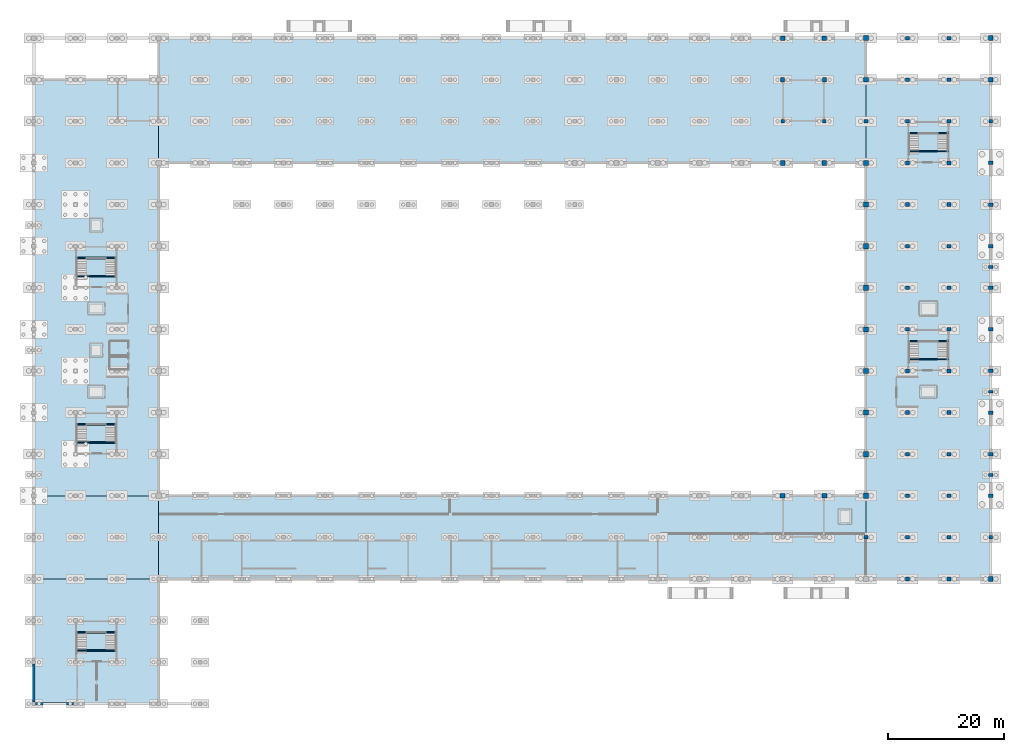
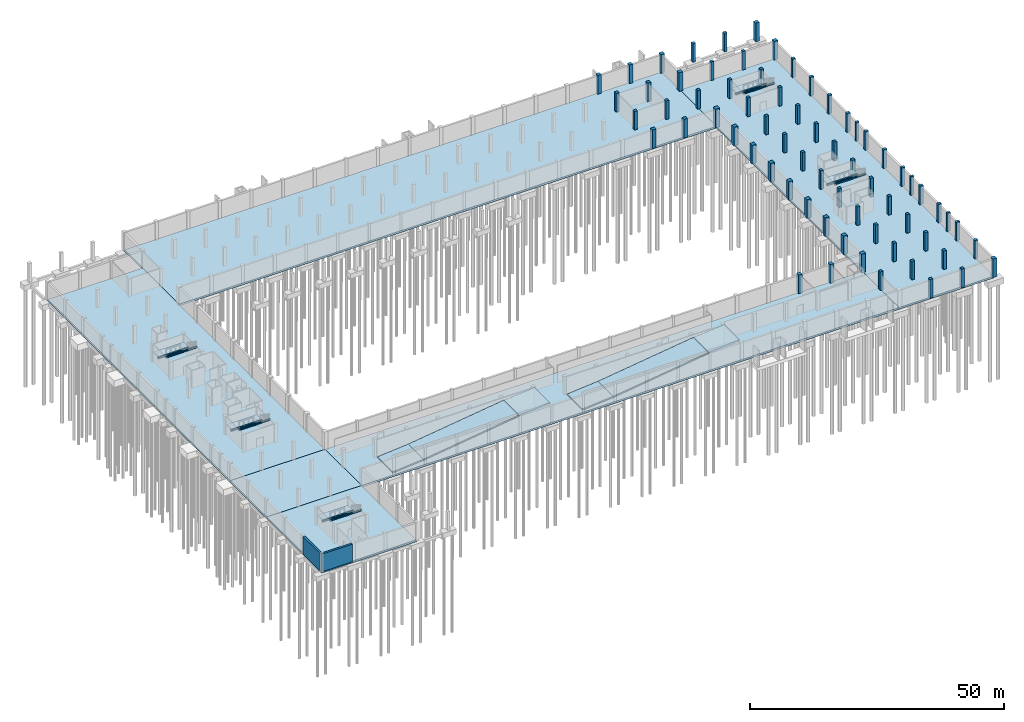
# One storey, part 8 of 18: 68 columns, 17 slabs, 10 beams, 2 walls, 5 elements without a shape of their own.
"""IFC4 building model written with IfcOpenShell, lengths in metres."""

from ifc_helpers import new_model, si_unit, direction, frame, frame_2d, origin, origin_2d, place, context, subcontext, project, spatial, polyline, rectangle, outline, extrude, material, layer, layer_set, material_profile, profile_set, type_object, element, aggregate, save


model = new_model("IFC4")

# Units and contexts
model_context = context("Model", 3, precision=1e-05, world=origin(), true_north=direction((0.0, 1.0)))
body_context = subcontext(model_context, "Body", "Model", "MODEL_VIEW")
ifc_project = project(units=[si_unit("LENGTHUNIT", "METRE"), si_unit("AREAUNIT", "SQUARE_METRE"), si_unit("VOLUMEUNIT", "CUBIC_METRE"), si_unit("PLANEANGLEUNIT", "RADIAN"), si_unit("MASSUNIT", "GRAM", prefix="KILO")], contexts=[model_context])

# Site, building, storey
site_placement = place(None, origin())
site = spatial("IfcSite", under=ifc_project, at=site_placement, CompositionType="ELEMENT")
building_placement = place(site_placement, origin())
building = spatial("IfcBuilding", under=site, at=building_placement, Name="Kangsadwip Square Police Headquarters", CompositionType="ELEMENT")
storey_placement = place(building_placement, frame((0.0, 0.0, -4.5)))
storey = spatial("IfcBuildingStorey", under=building, at=storey_placement, Name="B1", CompositionType="ELEMENT", Elevation=-4.5)

# Columns
ifc_material_1 = material(Name="Concrete M40 (40 MPa)", Category="concrete")
ifc_material_profile_1 = material_profile(ifc_material_1, rectangle(XDim=0.64990234375, YDim=0.64990234375, at=origin_2d()), Name="RC COL 650X650")
ifc_profile_set_1 = profile_set([ifc_material_profile_1], Name="Concrete M40 (40 MPa)")
column_type_1 = type_object("IfcColumnType", Name="RcCol650x650", PredefinedType="COLUMN", material=ifc_profile_set_1)
for number, where, z_axis, x_axis, name in (
    (1, (129.60009765625, 100.800048828125, 0.0), (0.0, 0.0, 1.0), (1.0, 0.0, 0.0), "Column COL-B1-18-14"),
    (2, (136.800048828125, 100.800048828125, 0.0), (0.0, 0.0, 1.0), (1.0, 0.0, 0.0), "Column COL-B1-19-14"),
    (3, (144.0, 28.800048828125, 0.0), (0.0, 0.0, 1.0), (1.0, 0.0, 0.0), "Column COL-B1-20-04"),
    (4, (144.0, 100.800048828125, 0.0), (0.0, 0.0, 1.0), (1.0, 0.0, 0.0), "Column COL-B1-20-14"),
    (5, (151.199951171875, 21.60009765625, 0.0), (0.0, 0.0, 1.0), (1.0, 0.0, 0.0), "Column COL-B1-21-03"),
    (6, (151.199951171875, 28.800048828125, 0.0), (0.0, 0.0, 1.0), (1.0, 0.0, 0.0), "Column COL-B1-21-04"),
    (7, (151.199951171875, 36.0, 0.0), (0.0, 0.0, 1.0), (1.0, 0.0, 0.0), "Column COL-B1-21-05"),
    (8, (151.199951171875, 43.199951171875, 0.0), (0.0, 0.0, 1.0), (1.0, 0.0, 0.0), "Column COL-B1-21-06"),
    (9, (151.199951171875, 50.39990234375, 0.0), (0.0, 0.0, 1.0), (1.0, 0.0, 0.0), "Column COL-B1-21-07"),
    (10, (151.199951171875, 57.60009765625, 0.0), (0.0, 0.0, 1.0), (1.0, 0.0, 0.0), "Column COL-B1-21-08"),
    (11, (151.199951171875, 64.800048828125, 0.0), (0.0, 0.0, 1.0), (1.0, 0.0, 0.0), "Column COL-B1-21-09"),
    (12, (151.199951171875, 72.0, 0.0), (0.0, 0.0, 1.0), (1.0, 0.0, 0.0), "Column COL-B1-21-10"),
    (13, (151.199951171875, 79.199951171875, 0.0), (0.0, 0.0, 1.0), (1.0, 0.0, 0.0), "Column COL-B1-21-11"),
    (14, (151.199951171875, 86.39990234375, 0.0), (0.0, 0.0, 1.0), (1.0, 0.0, 0.0), "Column COL-B1-21-12"),
    (15, (151.199951171875, 93.60009765625, 0.0), (0.0, 0.0, 1.0), (1.0, 0.0, 0.0), "Column COL-B1-21-13"),
    (16, (151.199951171875, 100.800048828125, 0.0), (0.0, 0.0, 1.0), (1.0, 0.0, 0.0), "Column COL-B1-21-14"),
    (17, (151.199951171875, 108.0, 0.0), (0.0, 0.0, 1.0), (1.0, 0.0, 0.0), "Column COL-B1-21-15"),
    (18, (151.199951171875, 115.199951171875, 0.0), (0.0, 0.0, 1.0), (1.0, 0.0, 0.0), "Column COL-B1-21-16"),
    (19, (158.39990234375, 21.60009765625, 0.0), (0.0, 0.0, 1.0), (1.0, 0.0, 0.0), "Column COL-B1-22-03"),
    (20, (158.39990234375, 28.800048828125, 0.0), (0.0, 0.0, 1.0), (1.0, 0.0, 0.0), "Column COL-B1-22-04"),
    (21, (158.39990234375, 36.0, 0.0), (0.0, 0.0, 1.0), (1.0, 0.0, 0.0), "Column COL-B1-22-05"),
    (22, (158.39990234375, 43.199951171875, 0.0), (0.0, 0.0, 1.0), (1.0, 0.0, 0.0), "Column COL-B1-22-06"),
    (23, (158.39990234375, 50.39990234375, 0.0), (0.0, 0.0, 1.0), (1.0, 0.0, 0.0), "Column COL-B1-22-07"),
    (24, (158.39990234375, 57.60009765625, 0.0), (0.0, 0.0, 1.0), (1.0, 0.0, 0.0), "Column COL-B1-22-08"),
    (25, (158.39990234375, 64.800048828125, 0.0), (0.0, 0.0, 1.0), (1.0, 0.0, 0.0), "Column COL-B1-22-09"),
    (26, (158.39990234375, 72.0, 0.0), (0.0, 0.0, 1.0), (1.0, 0.0, 0.0), "Column COL-B1-22-10"),
    (27, (158.39990234375, 79.199951171875, 0.0), (0.0, 0.0, 1.0), (1.0, 0.0, 0.0), "Column COL-B1-22-11"),
    (28, (158.39990234375, 86.39990234375, 0.0), (0.0, 0.0, 1.0), (1.0, 0.0, 0.0), "Column COL-B1-22-12"),
    (29, (158.39990234375, 93.60009765625, 0.0), (0.0, 0.0, 1.0), (1.0, 0.0, 0.0), "Column COL-B1-22-13"),
    (30, (158.39990234375, 100.800048828125, 0.0), (0.0, 0.0, 1.0), (1.0, 0.0, 0.0), "Column COL-B1-22-14"),
    (31, (158.39990234375, 108.0, 0.0), (0.0, 0.0, 1.0), (1.0, 0.0, 0.0), "Column COL-B1-22-15"),
    (32, (158.39990234375, 115.199951171875, 0.0), (0.0, 0.0, 1.0), (1.0, 0.0, 0.0), "Column COL-B1-22-16"),
    (33, (165.60009765625, 28.800048828125, 0.0), (0.0, 0.0, 1.0), (1.0, 0.0, 0.0), "Column COL-B1-23-04"),
    (34, (165.60009765625, 100.800048828125, 0.0), (0.0, 0.0, 1.0), (1.0, 0.0, 0.0), "Column COL-B1-23-14"),
):
    element("IfcColumn", number, at=place(storey_placement, frame(where, z_axis=z_axis, x_axis=x_axis)), inside=storey, type_object=column_type_1, Name=name, PredefinedType="COLUMN", context=body_context, shape_type="SweptSolid", body=[
        extrude(rectangle(XDim=0.64990234375, YDim=0.64990234375, at=origin_2d()), origin(), (0.0, 0.0, 1.0), 4.5),
    ])
ifc_material_2 = material(Name="Concrete M40 (40 MPa)", Category="concrete")
ifc_material_profile_2 = material_profile(ifc_material_2, rectangle(XDim=0.699951171875, YDim=0.699951171875, at=origin_2d()), Name="RC COL 700X700")
ifc_profile_set_2 = profile_set([ifc_material_profile_2], Name="Concrete M40 (40 MPa)")
column_type_2 = type_object("IfcColumnType", Name="RcCol700x700", PredefinedType="COLUMN", material=ifc_profile_set_2)
for number, where, z_axis, x_axis, name in (
    (35, (129.60009765625, 108.0, 0.0), (0.0, 0.0, 1.0), (1.0, 0.0, 0.0), "Column COL-B1-18-15"),
    (36, (136.800048828125, 108.0, 0.0), (0.0, 0.0, 1.0), (1.0, 0.0, 0.0), "Column COL-B1-19-15"),
):
    element("IfcColumn", number, at=place(storey_placement, frame(where, z_axis=z_axis, x_axis=x_axis)), inside=storey, type_object=column_type_2, Name=name, PredefinedType="COLUMN", context=body_context, shape_type="SweptSolid", body=[
        extrude(rectangle(XDim=0.699951171875, YDim=0.699951171875, at=origin_2d()), origin(), (0.0, 0.0, 1.0), 4.5),
    ])
ifc_material_3 = material(Name="Concrete M40 (40 MPa)", Category="concrete")
ifc_material_profile_3 = material_profile(ifc_material_3, rectangle(XDim=0.60009765625, YDim=0.800048828125, at=origin_2d()), Name="RC COL 800X600")
ifc_profile_set_3 = profile_set([ifc_material_profile_3], Name="Concrete M40 (40 MPa)")
column_type_3 = type_object("IfcColumnType", Name="RcCol800x600", PredefinedType="COLUMN", material=ifc_profile_set_3)
for number, where, z_axis, x_axis, name in (
    (37, (165.60009765625, 36.0, 0.0), (0.0, 0.0, 1.0), (0.0, 1.0, 0.0), "Column COL-B1-23-05"),
    (38, (165.60009765625, 43.199951171875, 0.0), (0.0, 0.0, 1.0), (0.0, 1.0, 0.0), "Column COL-B1-23-06"),
    (39, (165.60009765625, 50.39990234375, 0.0), (0.0, 0.0, 1.0), (0.0, 1.0, 0.0), "Column COL-B1-23-07"),
    (40, (165.60009765625, 57.60009765625, 0.0), (0.0, 0.0, 1.0), (0.0, 1.0, 0.0), "Column COL-B1-23-08"),
    (41, (165.60009765625, 64.800048828125, 0.0), (0.0, 0.0, 1.0), (0.0, 1.0, 0.0), "Column COL-B1-23-09"),
    (42, (165.60009765625, 72.0, 0.0), (0.0, 0.0, 1.0), (0.0, 1.0, 0.0), "Column COL-B1-23-10"),
    (43, (165.60009765625, 79.199951171875, 0.0), (0.0, 0.0, 1.0), (0.0, 1.0, 0.0), "Column COL-B1-23-11"),
    (44, (165.60009765625, 86.39990234375, 0.0), (0.0, 0.0, 1.0), (0.0, 1.0, 0.0), "Column COL-B1-23-12"),
    (45, (165.60009765625, 93.60009765625, 0.0), (0.0, 0.0, 1.0), (0.0, 1.0, 0.0), "Column COL-B1-23-13"),
):
    element("IfcColumn", number, at=place(storey_placement, frame(where, z_axis=z_axis, x_axis=x_axis)), inside=storey, type_object=column_type_3, Name=name, PredefinedType="COLUMN", context=body_context, shape_type="SweptSolid", body=[
        extrude(rectangle(XDim=0.60009765625, YDim=0.800048828125, at=origin_2d()), origin(), (0.0, 0.0, 1.0), 4.5),
    ])
ifc_material_4 = material(Name="Concrete M40 (40 MPa)", Category="concrete")
ifc_material_profile_4 = material_profile(ifc_material_4, rectangle(XDim=0.800048828125, YDim=0.800048828125, at=origin_2d()), Name="RC COL 800X800")
ifc_profile_set_4 = profile_set([ifc_material_profile_4], Name="Concrete M40 (40 MPa)")
column_type_4 = type_object("IfcColumnType", Name="RcCol800x800", PredefinedType="COLUMN", material=ifc_profile_set_4)
for number, where, z_axis, x_axis, name in (
    (46, (129.60009765625, 93.60009765625, 0.0), (0.0, 0.0, 1.0), (1.0, 0.0, 0.0), "Column COL-B1-18-13"),
    (47, (129.60009765625, 115.199951171875, 0.0), (0.0, 0.0, 1.0), (1.0, 0.0, 0.0), "Column COL-B1-18-16"),
    (48, (136.800048828125, 93.60009765625, 0.0), (0.0, 0.0, 1.0), (1.0, 0.0, 0.0), "Column COL-B1-19-13"),
    (49, (136.800048828125, 115.199951171875, 0.0), (0.0, 0.0, 1.0), (1.0, 0.0, 0.0), "Column COL-B1-19-16"),
):
    element("IfcColumn", number, at=place(storey_placement, frame(where, z_axis=z_axis, x_axis=x_axis)), inside=storey, type_object=column_type_4, Name=name, PredefinedType="COLUMN", context=body_context, shape_type="SweptSolid", body=[
        extrude(rectangle(XDim=0.800048828125, YDim=0.800048828125, at=origin_2d()), origin(), (0.0, 0.0, 1.0), 4.5),
    ])
ifc_material_5 = material(Name="Concrete M40 (40 MPa)", Category="concrete")
ifc_material_profile_5 = material_profile(ifc_material_5, rectangle(XDim=0.85009765625, YDim=0.85009765625, at=origin_2d()), Name="RC COL 850X850")
ifc_profile_set_5 = profile_set([ifc_material_profile_5], Name="Concrete M40 (40 MPa)")
column_type_5 = type_object("IfcColumnType", Name="RcCol850x850", PredefinedType="COLUMN", material=ifc_profile_set_5)
for number, where, z_axis, x_axis, name in (
    (50, (129.60009765625, 36.0, 0.0), (0.0, 0.0, 1.0), (1.0, 0.0, 0.0), "Column COL-B1-18-05"),
    (51, (136.800048828125, 36.0, 0.0), (0.0, 0.0, 1.0), (1.0, 0.0, 0.0), "Column COL-B1-19-05"),
    (52, (144.0, 108.0, 0.0), (0.0, 0.0, 1.0), (1.0, 0.0, 0.0), "Column COL-B1-20-15"),
    (53, (144.0, 115.199951171875, 0.0), (0.0, 0.0, 1.0), (1.0, 0.0, 0.0), "Column COL-B1-20-16"),
    (54, (165.60009765625, 21.60009765625, 0.0), (0.0, 0.0, 1.0), (1.0, 0.0, 0.0), "Column COL-B1-23-03"),
    (55, (165.60009765625, 108.0, 0.0), (0.0, 0.0, 1.0), (1.0, 0.0, 0.0), "Column COL-B1-23-15"),
    (56, (165.60009765625, 115.199951171875, 0.0), (0.0, 0.0, 1.0), (1.0, 0.0, 0.0), "Column COL-B1-23-16"),
):
    element("IfcColumn", number, at=place(storey_placement, frame(where, z_axis=z_axis, x_axis=x_axis)), inside=storey, type_object=column_type_5, Name=name, PredefinedType="COLUMN", context=body_context, shape_type="SweptSolid", body=[
        extrude(rectangle(XDim=0.85009765625, YDim=0.85009765625, at=origin_2d()), origin(), (0.0, 0.0, 1.0), 4.5),
    ])
ifc_material_6 = material(Name="Concrete M40 (40 MPa)", Category="concrete")
ifc_material_profile_6 = material_profile(ifc_material_6, rectangle(XDim=0.89990234375, YDim=0.89990234375, at=origin_2d()), Name="RC COL 900X900")
ifc_profile_set_6 = profile_set([ifc_material_profile_6], Name="Concrete M40 (40 MPa)")
column_type_6 = type_object("IfcColumnType", Name="RcCol900x900", PredefinedType="COLUMN", material=ifc_profile_set_6)
for number, where, z_axis, x_axis, name in (
    (57, (144.0, 36.0, 0.0), (0.0, 0.0, 1.0), (1.0, 0.0, 0.0), "Column COL-B1-20-05"),
    (58, (144.0, 43.199951171875, 0.0), (0.0, 0.0, 1.0), (1.0, 0.0, 0.0), "Column COL-B1-20-06"),
    (59, (144.0, 50.39990234375, 0.0), (0.0, 0.0, 1.0), (1.0, 0.0, 0.0), "Column COL-B1-20-07"),
    (60, (144.0, 57.60009765625, 0.0), (0.0, 0.0, 1.0), (1.0, 0.0, 0.0), "Column COL-B1-20-08"),
    (61, (144.0, 64.800048828125, 0.0), (0.0, 0.0, 1.0), (1.0, 0.0, 0.0), "Column COL-B1-20-09"),
    (62, (144.0, 72.0, 0.0), (0.0, 0.0, 1.0), (1.0, 0.0, 0.0), "Column COL-B1-20-10"),
    (63, (144.0, 79.199951171875, 0.0), (0.0, 0.0, 1.0), (1.0, 0.0, 0.0), "Column COL-B1-20-11"),
    (64, (144.0, 86.39990234375, 0.0), (0.0, 0.0, 1.0), (1.0, 0.0, 0.0), "Column COL-B1-20-12"),
    (65, (144.0, 93.60009765625, 0.0), (0.0, 0.0, 1.0), (1.0, 0.0, 0.0), "Column COL-B1-20-13"),
):
    element("IfcColumn", number, at=place(storey_placement, frame(where, z_axis=z_axis, x_axis=x_axis)), inside=storey, type_object=column_type_6, Name=name, PredefinedType="COLUMN", context=body_context, shape_type="SweptSolid", body=[
        extrude(rectangle(XDim=0.89990234375, YDim=0.89990234375, at=origin_2d()), origin(), (0.0, 0.0, 1.0), 4.5),
    ])
ifc_material_7 = material(Name="Concrete M40 (40 MPa)", Category="concrete")
ifc_material_profile_7 = material_profile(ifc_material_7, rectangle(XDim=0.449951171875, YDim=0.75, at=origin_2d()), Name="RC PIL 750X450")
ifc_profile_set_7 = profile_set([ifc_material_profile_7], Name="Concrete M40 (40 MPa)")
column_type_7 = type_object("IfcColumnType", Name="RcPil750x450", PredefinedType="PILASTER", material=ifc_profile_set_7)
for number, where, z_axis, x_axis, name in (
    (66, (165.60009765625, 39.60009765625, 0.0), (0.0, 0.0, 1.0), (0.0, 1.0, 0.0), "Colonnade Pilaster PIL-B1-028"),
    (67, (165.60009765625, 54.0, 0.0), (0.0, 0.0, 1.0), (0.0, 1.0, 0.0), "Colonnade Pilaster PIL-B1-036"),
    (68, (165.60009765625, 75.60009765625, 0.0), (0.0, 0.0, 1.0), (0.0, 1.0, 0.0), "Colonnade Pilaster PIL-B1-044"),
):
    element("IfcColumn", number, at=place(storey_placement, frame(where, z_axis=z_axis, x_axis=x_axis)), inside=storey, type_object=column_type_7, Name=name, PredefinedType="PILASTER", context=body_context, shape_type="SweptSolid", body=[
        extrude(rectangle(XDim=0.449951171875, YDim=0.75, at=origin_2d()), origin(), (0.0, 0.0, 1.0), 4.5),
    ])

# Beams
ifc_material_8 = material(Name="Concrete M30 (30 MPa)", Category="concrete")
ifc_material_profile_8 = material_profile(ifc_material_8, rectangle(XDim=0.199951171875, YDim=0.25, at=origin_2d()), Name="RC LNT 250X200")
ifc_profile_set_8 = profile_set([ifc_material_profile_8], Name="Concrete M30 (30 MPa)")
beam_type = type_object("IfcBeamType", Name="RcLintel250x200", PredefinedType="LINTEL", material=ifc_profile_set_8)
for number, where, z_axis, x_axis, name in (
    (69, (7.300048828125, 48.340087890625, 2.034912109375), (1.0, 0.0, 0.0), (0.0, 1.0, 0.0), "Stair Carriage and Landing Beam BM-ST-B1-001"),
    (70, (7.300048828125, 45.219970703125, 4.125), (1.0, 0.0, 0.0), (0.0, 1.0, 0.0), "Stair Carriage and Landing Beam BM-ST-B1-002"),
    (71, (7.300048828125, 77.139892578125, 2.034912109375), (1.0, 0.0, 0.0), (0.0, 1.0, 0.0), "Stair Carriage and Landing Beam BM-ST-B1-020"),
    (72, (7.300048828125, 74.02001953125, 4.125), (1.0, 0.0, 0.0), (0.0, 1.0, 0.0), "Stair Carriage and Landing Beam BM-ST-B1-021"),
    (73, (151.300048828125, 62.739990234375, 2.034912109375), (1.0, 0.0, 0.0), (0.0, 1.0, 0.0), "Stair Carriage and Landing Beam BM-ST-B1-039"),
    (74, (151.300048828125, 59.6201171875, 4.125), (1.0, 0.0, 0.0), (0.0, 1.0, 0.0), "Stair Carriage and Landing Beam BM-ST-B1-040"),
    (75, (151.300048828125, 98.739990234375, 2.034912109375), (1.0, 0.0, 0.0), (0.0, 1.0, 0.0), "Stair Carriage and Landing Beam BM-ST-B1-056"),
    (76, (151.300048828125, 95.6201171875, 4.125), (1.0, 0.0, 0.0), (0.0, 1.0, 0.0), "Stair Carriage and Landing Beam BM-ST-B1-057"),
    (77, (7.300048828125, 12.340087890625, 2.034912109375), (1.0, 0.0, 0.0), (0.0, 1.0, 0.0), "Stair Carriage and Landing Beam BM-ST-B1-096"),
    (78, (7.300048828125, 9.219970703125, 4.125), (1.0, 0.0, 0.0), (0.0, 1.0, 0.0), "Stair Carriage and Landing Beam BM-ST-B1-097"),
):
    element("IfcBeam", number, at=place(storey_placement, frame(where, z_axis=z_axis, x_axis=x_axis)), inside=storey, type_object=beam_type, Name=name, PredefinedType="BEAM", context=body_context, shape_type="SweptSolid", body=[
        extrude(rectangle(XDim=0.199951171875, YDim=0.25, at=origin_2d()), origin(), (0.0, 0.0, 1.0), 7.0),
    ])

# Slabs
ifc_material_9 = material(Name="Concrete M35 (35 MPa)", Category="concrete")
ifc_layer_1 = layer(ifc_material_9, 0.449951171875)
ifc_layer_set_1 = layer_set([ifc_layer_1], Name="Concrete M35 (35 MPa)")
slab_type_1 = type_object("IfcSlabType", Name="BaseRaftSlab450", PredefinedType="BASESLAB", material=ifc_layer_set_1)
slab_1_placement = place(storey_placement, frame((0.0, 0.0, -0.449951171875)))
element("IfcSlab", 79, at=slab_1_placement, inside=storey, type_object=slab_type_1, Name="B1 B1_WS Slab SL-B1-001", PredefinedType="BASESLAB", context=body_context, shape_type="SweptSolid", body=[
    extrude(outline(polyline([(21.60009765625, 0.0), (21.60009765625, 21.60009765625), (0.0, 21.60009765625), (0.0, 0.0), (21.60009765625, 0.0)])), origin(), (0.0, 0.0, 1.0), 0.449951171875),
])
slab_2_placement = place(storey_placement, frame((0.0, 0.0, -0.449951171875)))
element("IfcSlab", 80, at=slab_2_placement, inside=storey, type_object=slab_type_1, Name="B1 B1_WM Slab SL-B1-002", PredefinedType="BASESLAB", context=body_context, shape_type="SweptSolid", body=[
    extrude(outline(polyline([(21.60009765625, 21.60009765625), (21.60009765625, 36.0), (0.0, 36.0), (0.0, 21.60009765625), (21.60009765625, 21.60009765625)])), origin(), (0.0, 0.0, 1.0), 0.449951171875),
])
slab_3_placement = place(storey_placement, frame((0.0, 0.0, -0.449951171875)))
element("IfcSlab", 81, at=slab_3_placement, inside=storey, type_object=slab_type_1, Name="B1 B1_WN Slab SL-B1-003", PredefinedType="BASESLAB", context=body_context, shape_type="SweptSolid", body=[
    extrude(outline(polyline([(21.60009765625, 36.0), (21.60009765625, 108.0), (0.0, 108.0), (0.0, 36.0), (21.60009765625, 36.0)])), origin(), (0.0, 0.0, 1.0), 0.449951171875),
])
slab_4_placement = place(storey_placement, frame((0.0, 0.0, -0.449951171875)))
element("IfcSlab", 82, at=slab_4_placement, inside=storey, type_object=slab_type_1, Name="B1 B1_E Slab SL-B1-004", PredefinedType="BASESLAB", context=body_context, shape_type="SweptSolid", body=[
    extrude(outline(polyline([(165.60009765625, 21.60009765625), (165.60009765625, 108.0), (144.0, 108.0), (144.0, 21.60009765625), (165.60009765625, 21.60009765625)])), origin(), (0.0, 0.0, 1.0), 0.449951171875),
])
slab_5_placement = place(storey_placement, frame((0.0, 0.0, -0.449951171875)))
element("IfcSlab", 83, at=slab_5_placement, inside=storey, type_object=slab_type_1, Name="B1 B1_N Slab SL-B1-005", PredefinedType="BASESLAB", context=body_context, shape_type="SweptSolid", body=[
    extrude(outline(polyline([(144.0, 93.60009765625), (144.0, 115.199951171875), (21.60009765625, 115.199951171875), (21.60009765625, 93.60009765625), (144.0, 93.60009765625)])), origin(), (0.0, 0.0, 1.0), 0.449951171875),
])
slab_6_placement = place(storey_placement, frame((0.0, 0.0, -0.449951171875)))
element("IfcSlab", 84, at=slab_6_placement, inside=storey, type_object=slab_type_1, Name="B1 B1_S Slab SL-B1-006", PredefinedType="BASESLAB", context=body_context, shape_type="SweptSolid", body=[
    extrude(outline(polyline([(144.0, 21.60009765625), (144.0, 36.0), (21.60009765625, 36.0), (21.60009765625, 21.60009765625), (144.0, 21.60009765625)])), origin(), (0.0, 0.0, 1.0), 0.449951171875),
])

# Stair, slab
ifc_material_10 = material(Name="Concrete M35 (35 MPa)", Category="concrete")
stair_type = type_object("IfcStairType", Name="Stair2FlightB1W1800", PredefinedType="HALF_TURN_STAIR", material=ifc_material_10)
stair_1_placement = place(storey_placement, origin())
stair_1 = element("IfcStair", 85, at=stair_1_placement, inside=storey, type_object=stair_type, Name="Protected Stair ST-01 B1", PredefinedType="HALF_TURN_STAIR")
ifc_material_11 = material(Name="Concrete M35 (35 MPa)", Category="concrete")
ifc_layer_2 = layer(ifc_material_11, 0.199951171875)
ifc_layer_set_2 = layer_set([ifc_layer_2], Name="Concrete M35 (35 MPa)")
slab_type_2 = type_object("IfcSlabType", Name="StairLandingSlab200", PredefinedType="LANDING", material=ifc_layer_set_2)
slab_7_placement = place(storey_placement, frame((0.0, 0.0, 2.139892578125)))
slab_7 = element("IfcSlab", 86, at=slab_7_placement, type_object=slab_type_2, Name="ST-01 landing 1", PredefinedType="LANDING", context=body_context, shape_type="SweptSolid", body=[
    extrude(outline(polyline([(7.3701171875, 48.280029296875), (14.22998046875, 48.280029296875), (14.22998046875, 50.22998046875), (7.3701171875, 50.22998046875), (7.3701171875, 48.280029296875)])), origin(), (0.0, 0.0, 1.0), 0.2001953125),
])
aggregate(stair_1, [slab_7])

stair_2_placement = place(storey_placement, origin())
stair_2 = element("IfcStair", 87, at=stair_2_placement, inside=storey, type_object=stair_type, Name="Protected Stair ST-02 B1", PredefinedType="HALF_TURN_STAIR")
slab_8_placement = place(storey_placement, frame((0.0, 0.0, 2.139892578125)))
slab_8 = element("IfcSlab", 88, at=slab_8_placement, type_object=slab_type_2, Name="ST-02 landing 1", PredefinedType="LANDING", context=body_context, shape_type="SweptSolid", body=[
    extrude(outline(polyline([(7.3701171875, 77.080078125), (14.22998046875, 77.080078125), (14.22998046875, 79.030029296875), (7.3701171875, 79.030029296875), (7.3701171875, 77.080078125)])), origin(), (0.0, 0.0, 1.0), 0.2001953125),
])
aggregate(stair_2, [slab_8])

stair_3_placement = place(storey_placement, origin())
stair_3 = element("IfcStair", 89, at=stair_3_placement, inside=storey, type_object=stair_type, Name="Protected Stair ST-03 B1", PredefinedType="HALF_TURN_STAIR")
slab_9_placement = place(storey_placement, frame((0.0, 0.0, 2.139892578125)))
slab_9 = element("IfcSlab", 90, at=slab_9_placement, type_object=slab_type_2, Name="ST-03 landing 1", PredefinedType="LANDING", context=body_context, shape_type="SweptSolid", body=[
    extrude(outline(polyline([(151.3701171875, 62.679931640625), (158.22998046875, 62.679931640625), (158.22998046875, 64.6298828125), (151.3701171875, 64.6298828125), (151.3701171875, 62.679931640625)])), origin(), (0.0, 0.0, 1.0), 0.2001953125),
])
aggregate(stair_3, [slab_9])

stair_4_placement = place(storey_placement, origin())
stair_4 = element("IfcStair", 91, at=stair_4_placement, inside=storey, type_object=stair_type, Name="Protected Stair ST-04 B1", PredefinedType="HALF_TURN_STAIR")
slab_10_placement = place(storey_placement, frame((0.0, 0.0, 2.139892578125)))
slab_10 = element("IfcSlab", 92, at=slab_10_placement, type_object=slab_type_2, Name="ST-04 landing 1", PredefinedType="LANDING", context=body_context, shape_type="SweptSolid", body=[
    extrude(outline(polyline([(151.3701171875, 98.679931640625), (158.22998046875, 98.679931640625), (158.22998046875, 100.6298828125), (151.3701171875, 100.6298828125), (151.3701171875, 98.679931640625)])), origin(), (0.0, 0.0, 1.0), 0.2001953125),
])
aggregate(stair_4, [slab_10])

stair_5_placement = place(storey_placement, origin())
stair_5 = element("IfcStair", 93, at=stair_5_placement, inside=storey, type_object=stair_type, Name="Protected Stair ST-08 B1", PredefinedType="HALF_TURN_STAIR")
slab_11_placement = place(storey_placement, frame((0.0, 0.0, 2.139892578125)))
slab_11 = element("IfcSlab", 94, at=slab_11_placement, type_object=slab_type_2, Name="ST-08 landing 1", PredefinedType="LANDING", context=body_context, shape_type="SweptSolid", body=[
    extrude(outline(polyline([(7.3701171875, 12.280029296875), (14.22998046875, 12.280029296875), (14.22998046875, 14.22998046875), (7.3701171875, 14.22998046875), (7.3701171875, 12.280029296875)])), origin(), (0.0, 0.0, 1.0), 0.2001953125),
])
aggregate(stair_5, [slab_11])

# Slabs
ifc_material_12 = material(Name="Concrete M35 (35 MPa)", Category="concrete")
ifc_layer_3 = layer(ifc_material_12, 0.300048828125)
ifc_layer_set_3 = layer_set([ifc_layer_3], Name="Concrete M35 (35 MPa)")
slab_type_3 = type_object("IfcSlabType", Name="VehicleRampSlab300", PredefinedType="USERDEFINED", material=ifc_layer_set_3)
slab_12_placement = place(storey_placement, frame((29.0, 22.199951171875, 0.320068359375), z_axis=(-0.085380443469, 0.0, 0.996348422929), x_axis=(0.996348422929, 0.0, 0.085380443469)))
element("IfcSlab", 95, at=slab_12_placement, inside=storey, type_object=slab_type_3, Name="Police Fleet Vehicle Ramp Structural Slab VR-01-SL-B1-092", ObjectType="RAMP_SLAB", PredefinedType="USERDEFINED", context=body_context, shape_type="SweptSolid", body=[
    extrude(outline(polyline([(0.0, 0.0), (7.025654719683261, 0.0), (7.025654719683261, 6.0), (0.0, 6.0), (0.0, 0.0)])), origin(), (0.0, 0.0, -1.0), 0.300048828125),
])
slab_13_placement = place(storey_placement, frame((36.0, 22.199951171875, 0.919921875), z_axis=(-0.135436531558, 0.0, 0.990786024286), x_axis=(0.990786024286, 0.0, 0.135436531558)))
element("IfcSlab", 96, at=slab_13_placement, inside=storey, type_object=slab_type_3, Name="Police Fleet Vehicle Ramp Structural Slab VR-01-SL-B1-093", ObjectType="RAMP_SLAB", PredefinedType="USERDEFINED", context=body_context, shape_type="SweptSolid", body=[
    extrude(outline(polyline([(0.0, 0.0), (22.002781926446612, 0.0), (22.002781926446612, 6.0), (0.0, 6.0), (0.0, 0.0)])), origin(), (0.0, 0.0, -1.0), 0.300048828125),
])
slab_14_placement = place(storey_placement, frame((57.800048828125, 22.199951171875, 3.89990234375), z_axis=(-0.08541493987, 0.0, 0.996345466215), x_axis=(0.996345466215, 0.0, 0.08541493987)))
element("IfcSlab", 97, at=slab_14_placement, inside=storey, type_object=slab_type_3, Name="Police Fleet Vehicle Ramp Structural Slab VR-01-SL-B1-094", ObjectType="RAMP_SLAB", PredefinedType="USERDEFINED", context=body_context, shape_type="SweptSolid", body=[
    extrude(outline(polyline([(0.0, 0.0), (7.025675568729084, 0.0), (7.025675568729084, 5.999999999999999), (0.0, 5.999999999999999), (0.0, 0.0)])), origin(), (0.0, 0.0, -1.0), 0.300048828125),
])
slab_15_placement = place(storey_placement, frame((72.199951171875, 22.199951171875, 0.320068359375), z_axis=(-0.085380443469, 0.0, 0.996348422929), x_axis=(0.996348422929, 0.0, 0.085380443469)))
element("IfcSlab", 98, at=slab_15_placement, inside=storey, type_object=slab_type_3, Name="Police Fleet Vehicle Ramp Structural Slab VR-02-SL-B1-095", ObjectType="RAMP_SLAB", PredefinedType="USERDEFINED", context=body_context, shape_type="SweptSolid", body=[
    extrude(outline(polyline([(0.0, 0.0), (7.025654719683261, 0.0), (7.025654719683261, 6.0), (0.0, 6.0), (0.0, 0.0)])), origin(), (0.0, 0.0, -1.0), 0.300048828125),
])
slab_16_placement = place(storey_placement, frame((79.199951171875, 22.199951171875, 0.919921875), z_axis=(-0.135436531558, 0.0, 0.990786024286), x_axis=(0.990786024286, 0.0, 0.135436531558)))
element("IfcSlab", 99, at=slab_16_placement, inside=storey, type_object=slab_type_3, Name="Police Fleet Vehicle Ramp Structural Slab VR-02-SL-B1-096", ObjectType="RAMP_SLAB", PredefinedType="USERDEFINED", context=body_context, shape_type="SweptSolid", body=[
    extrude(outline(polyline([(0.0, 0.0), (22.002781926446612, 0.0), (22.002781926446612, 6.0), (0.0, 6.0), (0.0, 0.0)])), origin(), (0.0, 0.0, -1.0), 0.300048828125),
])
slab_17_placement = place(storey_placement, frame((101.0, 22.199951171875, 3.89990234375), z_axis=(-0.08541493987, 0.0, 0.996345466215), x_axis=(0.996345466215, 0.0, 0.08541493987)))
element("IfcSlab", 100, at=slab_17_placement, inside=storey, type_object=slab_type_3, Name="Police Fleet Vehicle Ramp Structural Slab VR-02-SL-B1-097", ObjectType="RAMP_SLAB", PredefinedType="USERDEFINED", context=body_context, shape_type="SweptSolid", body=[
    extrude(outline(polyline([(0.0, 0.0), (7.025675568729084, 0.0), (7.025675568729084, 5.999999999999999), (0.0, 5.999999999999999), (0.0, 0.0)])), origin(), (0.0, 0.0, -1.0), 0.300048828125),
])

# Walls
ifc_material_13 = material(Name="Concrete M40 (40 MPa)", Category="concrete")
ifc_layer_4 = layer(ifc_material_13, 0.449951171875)
ifc_layer_set_4 = layer_set([ifc_layer_4], Name="Concrete M40 (40 MPa)")
wall_type = type_object("IfcWallType", Name="BasementRetainingWall450", PredefinedType="USERDEFINED", material=ifc_layer_set_4)
for number, where, z_axis, x_axis, name in (
    (101, (0.320068359375, 0.0, 0.0), (0.0, 0.0, 1.0), (1.0, 0.0, 0.0), "Exterior Wall WE-B1-001"),
    (102, (0.0, 0.320068359375, 0.0), (0.0, 0.0, 1.0), (0.0, 1.0, 0.0), "Exterior Wall WE-B1-081"),
):
    element("IfcWall", number, at=place(storey_placement, frame(where, z_axis=z_axis, x_axis=x_axis)), inside=storey, type_object=wall_type, Name=name, ObjectType="RETAININGWALL", PredefinedType="USERDEFINED", context=body_context, shape_type="SweptSolid", body=[
        extrude(rectangle(XDim=6.559814453125, YDim=0.449951171875, at=frame_2d((3.27978515625, 0.0))), origin(), (0.0, 0.0, 1.0), 4.25),
    ])

save(model, "model.ifc")
